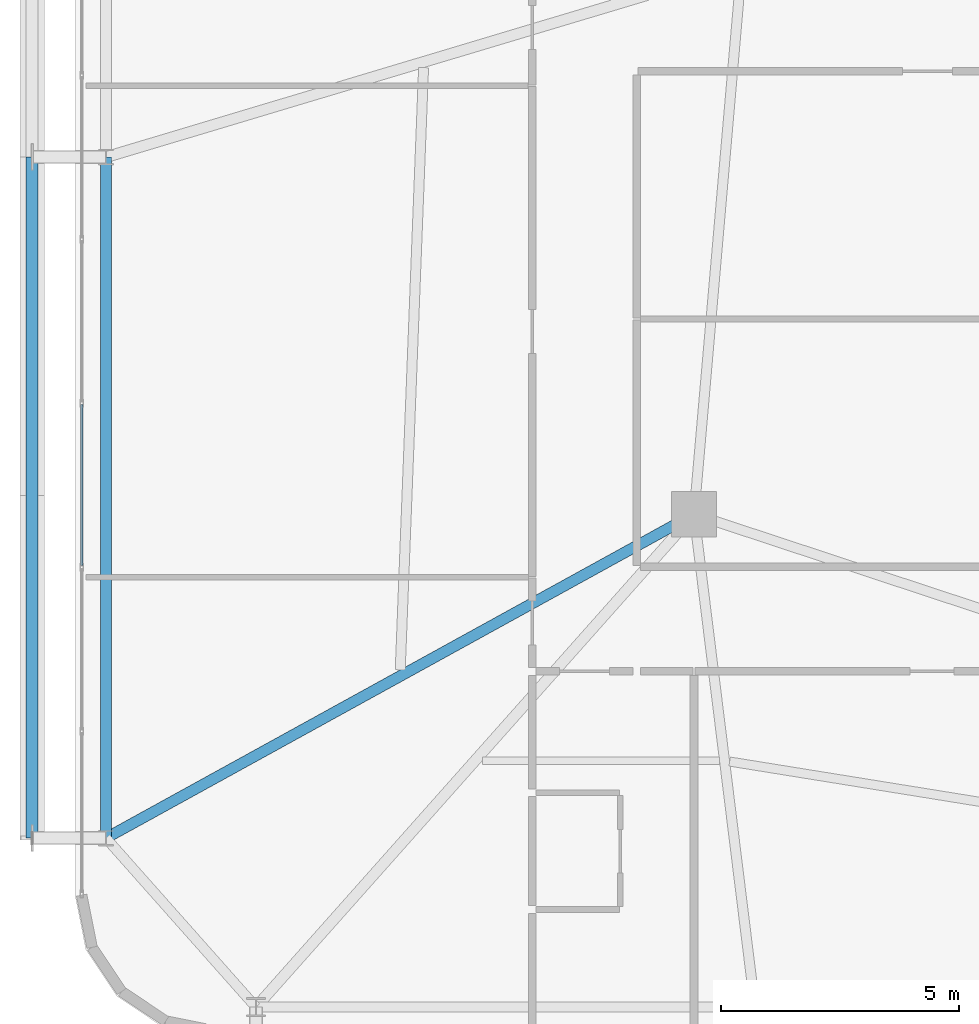
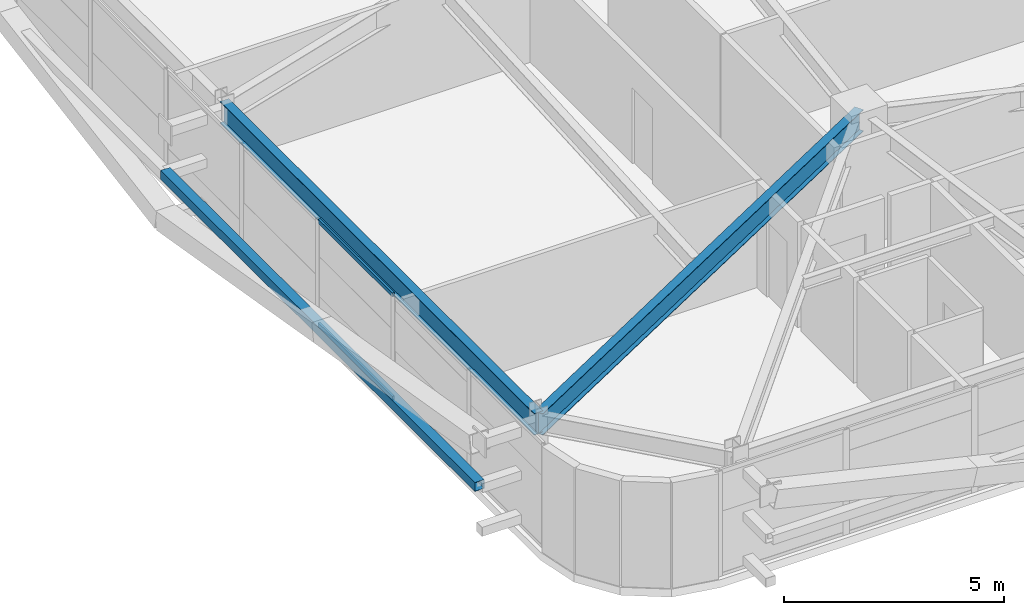
# One storey, part 9 of 59: 3 members, 2 beams, 1 element without a shape of its own.
"""IFC4 building model written with IfcOpenShell, lengths in metres."""

import ifcopenshell
import ifcopenshell.guid

model = None  # the IFC model being written
_history = None  # IfcOwnerHistory: only IFC2X3 demands one
_inside = {}  # id of a spatial element -> (the spatial element, [elements in it])
_under = {}  # id of a project, library or spatial element -> (it, [spatial elements below it])
_declared = {}  # id of a project -> (the project, [libraries it declares])
_typed = {}  # id of a type object -> (the type object, [elements of that type])
_made_of = {}  # id of a material, layer set ... -> (it, [elements and type objects made of it])


def new_model(schema):
    """Start an empty IFC model of exactly this schema.

    Asked for "IFC4X3", IfcOpenShell would pick the latest addendum, in which some entities
    have other attributes; the version numbers below select the first issue.
    IFC2X3 requires an IfcOwnerHistory on every rooted entity: one is made here for all.
    """
    global model, _history
    if schema == "IFC4X3":
        model = ifcopenshell.file(schema_version=(4, 3, 0, 0))
    else:
        model = ifcopenshell.file(schema=schema)
    _inside.clear()
    _under.clear()
    _declared.clear()
    _typed.clear()
    _made_of.clear()
    _history = None
    if model.schema == "IFC2X3":
        org = make("IfcOrganization", Name="unknown")
        user = make(
            "IfcPersonAndOrganization",
            ThePerson=make("IfcPerson", FamilyName="unknown"),
            TheOrganization=org,
        )
        app = make(
            "IfcApplication",
            ApplicationDeveloper=org,
            Version="unknown",
            ApplicationFullName="unknown",
            ApplicationIdentifier="unknown",
        )
        _history = make(
            "IfcOwnerHistory",
            OwningUser=user,
            OwningApplication=app,
            ChangeAction="ADDED",
            CreationDate=0,
        )
    return model


def make(cls, **values):
    """One entity of the class cls with the attributes given. An attribute that is None is left unset."""
    return model.create_entity(
        cls, **{name: value for name, value in values.items() if value is not None}
    )


def rooted(cls, **values):
    """An entity with a GlobalId (a new one), such as an element, a storey or a relation."""
    return make(cls, GlobalId=ifcopenshell.guid.new(), OwnerHistory=_history, **values)


def si_unit(unit_type, name, prefix=None):
    """IfcSIUnit, for example si_unit("LENGTHUNIT", "METRE", prefix="MILLI")."""
    return make("IfcSIUnit", UnitType=unit_type, Prefix=prefix, Name=name)


def assignment(units):
    """IfcUnitAssignment: the units of a project."""
    return None if units is None else make("IfcUnitAssignment", Units=units)


def point(xyz):
    """IfcCartesianPoint."""
    return None if xyz is None else make("IfcCartesianPoint", Coordinates=xyz)


def direction(xyz):
    """IfcDirection."""
    return None if xyz is None else make("IfcDirection", DirectionRatios=xyz)


def frame(location, z_axis=None, x_axis=None):
    """IfcAxis2Placement3D, a coordinate frame: its origin and axes. An axis left out is left unset."""
    return make(
        "IfcAxis2Placement3D",
        Location=point(location),
        Axis=direction(z_axis),
        RefDirection=direction(x_axis),
    )


def frame_2d(location, x_axis=None):
    """IfcAxis2Placement2D, a coordinate frame in the plane: its origin and x axis."""
    return make(
        "IfcAxis2Placement2D", Location=point(location), RefDirection=direction(x_axis)
    )


def origin():
    """The frame at (0, 0, 0) with its axes left unset."""
    return frame((0.0, 0.0, 0.0))


def origin_2d():
    """The frame at (0, 0) in the plane with its x axis left unset."""
    return frame_2d((0.0, 0.0))


def place(relative_to, where):
    """IfcLocalPlacement: puts the frame where relative to a parent placement (None: the world)."""
    return make(
        "IfcLocalPlacement", PlacementRelTo=relative_to, RelativePlacement=where
    )


def context(
    kind, dimensions, precision=None, world=None, true_north=None, identifier=None
):
    """IfcGeometricRepresentationContext, for example the 3D "Model" context."""
    return make(
        "IfcGeometricRepresentationContext",
        ContextIdentifier=identifier,
        ContextType=kind,
        CoordinateSpaceDimension=dimensions,
        Precision=precision,
        WorldCoordinateSystem=world,
        TrueNorth=true_north,
    )


def subcontext(parent, identifier, kind, view, scale=None):
    """IfcGeometricRepresentationSubContext, for example "Body" below "Model"."""
    return make(
        "IfcGeometricRepresentationSubContext",
        ContextIdentifier=identifier,
        ContextType=kind,
        ParentContext=parent,
        TargetScale=scale,
        TargetView=view,
    )


def project(units=None, contexts=None):
    """IfcProject with its units and contexts."""
    return rooted(
        "IfcProject",
        Name="project",
        RepresentationContexts=contexts,
        UnitsInContext=assignment(units),
    )


def spatial(cls, under=None, at=None, **own):
    """A site, building, storey or space (cls), placed at a placement, below another one or the project."""
    s = rooted(cls, ObjectPlacement=at, **own)
    if under is not None:
        _under.setdefault(under.id(), (under, []))[1].append(s)
    return s


def profile(cls, at=None, kind="AREA", **sizes):
    """A parametric profile (cls). Its sizes go by their IFC names, for example OverallWidth=200.0."""
    return make(cls, ProfileType=kind, Position=at, **sizes)


def hollow_rectangle(**sizes):
    """IfcRectangleHollowProfileDef."""
    return profile("IfcRectangleHollowProfileDef", **sizes)


def i_section(**sizes):
    """IfcIShapeProfileDef."""
    return profile("IfcIShapeProfileDef", **sizes)


def extrude(swept, where, along, depth):
    """IfcExtrudedAreaSolid: the profile swept, set in the frame where, extruded along a direction by depth."""
    return make(
        "IfcExtrudedAreaSolid",
        SweptArea=swept,
        Position=where,
        ExtrudedDirection=direction(along),
        Depth=depth,
    )


def shape(context_of_items, identifier, shape_type, items):
    """IfcShapeRepresentation: the items that make up one representation, for example the "Body"."""
    return make(
        "IfcShapeRepresentation",
        ContextOfItems=context_of_items,
        RepresentationIdentifier=identifier,
        RepresentationType=shape_type,
        Items=items,
    )


def source(mapping_origin, context_of_items, identifier, shape_type, items):
    """IfcRepresentationMap: a shape defined once, which mapped items show again and again."""
    return make(
        "IfcRepresentationMap",
        MappingOrigin=mapping_origin,
        MappedRepresentation=shape(context_of_items, identifier, shape_type, items),
    )


def transform(
    local_origin,
    x_axis=None,
    y_axis=None,
    z_axis=None,
    scale=None,
    scale2=None,
    scale3=None,
    uniform=True,
):
    """IfcCartesianTransformationOperator3D, or its non-uniform kind. x_axis, y_axis, z_axis: its Axis1, 2, 3."""
    if uniform:
        return make(
            "IfcCartesianTransformationOperator3D",
            Axis1=direction(x_axis),
            Axis2=direction(y_axis),
            LocalOrigin=point(local_origin),
            Scale=scale,
            Axis3=direction(z_axis),
        )
    return make(
        "IfcCartesianTransformationOperator3DnonUniform",
        Axis1=direction(x_axis),
        Axis2=direction(y_axis),
        LocalOrigin=point(local_origin),
        Scale=scale,
        Axis3=direction(z_axis),
        Scale2=scale2,
        Scale3=scale3,
    )


def mapped(mapping_source, mapping_target):
    """IfcMappedItem: shows the shape of a source again, moved by a transform."""
    return make(
        "IfcMappedItem", MappingSource=mapping_source, MappingTarget=mapping_target
    )


def material(Name=None, Category=None):
    """IfcMaterial."""
    return make("IfcMaterial", Name=Name, Category=Category)


def layer(
    of_material, thickness, ventilated=None, Name=None, Category=None, Priority=None
):
    """IfcMaterialLayer: one layer of a wall or slab, of a material (None: an air gap)."""
    return make(
        "IfcMaterialLayer",
        Material=of_material,
        LayerThickness=thickness,
        IsVentilated=ventilated,
        Name=Name,
        Category=Category,
        Priority=Priority,
    )


def layer_set(layers, Name=None):
    """IfcMaterialLayerSet."""
    return make("IfcMaterialLayerSet", MaterialLayers=layers, LayerSetName=Name)


def material_profile(
    of_material, cross_section, Name=None, Category=None, Priority=None
):
    """IfcMaterialProfile: a cross section and its material."""
    return make(
        "IfcMaterialProfile",
        Name=Name,
        Material=of_material,
        Profile=cross_section,
        Priority=Priority,
        Category=Category,
    )


def profile_set(profiles, Name=None, composite=None):
    """IfcMaterialProfileSet."""
    return make(
        "IfcMaterialProfileSet",
        Name=Name,
        MaterialProfiles=profiles,
        CompositeProfile=composite,
    )


def made_of(thing, what):
    """Note that an element or type object is made of a material, layer set ...; save() writes the relation."""
    if what is not None:
        _made_of.setdefault(what.id(), (what, []))[1].append(thing)
    return thing


def type_object(cls, material=None, **own):
    """A type object (cls), such as IfcWallType, which elements share."""
    return made_of(rooted(cls, **own), material)


def element(
    cls,
    number,
    at=None,
    inside=None,
    cuts=None,
    type_object=None,
    material=None,
    context=None,
    identifier="Body",
    shape_type=None,
    held_by="IfcProductDefinitionShape",
    body=None,
    shapes=None,
    **own,
):
    """One element of the class cls, such as IfcWall. Its Tag is "e" and its number.

    at: its placement. inside: the storey or other place that contains it. cuts: it is an
    opening in that element (IfcRelVoidsElement). A single representation is given by context,
    identifier, shape_type and body (its items); several are given by shapes. held_by: the class
    of the entity that holds the representations. save() writes the other relations.
    """
    e = rooted(cls, Tag="e%d" % number, ObjectPlacement=at, **own)
    if body is not None:
        shapes = [shape(context, identifier, shape_type, body)]
    if shapes is not None:
        e.Representation = make(held_by, Representations=shapes)
    if inside is not None:
        _inside.setdefault(inside.id(), (inside, []))[1].append(e)
    if cuts is not None:
        rooted(
            "IfcRelVoidsElement", RelatingBuildingElement=cuts, RelatedOpeningElement=e
        )
    if type_object is not None:
        _typed.setdefault(type_object.id(), (type_object, []))[1].append(e)
    return made_of(e, material)


def aggregate(whole, parts):
    """IfcRelAggregates: a whole, such as a stair, and the parts it consists of."""
    return rooted("IfcRelAggregates", RelatingObject=whole, RelatedObjects=parts)


def save(model, path):
    """Write the relations noted so far, then the file.

    IfcRelAggregates (storeys below a building ...), IfcRelContainedInSpatialStructure (elements
    in a storey), IfcRelDefinesByType, IfcRelAssociatesMaterial and IfcRelDeclares: one each for
    every whole, place, type object, material and project.
    """
    for whole, parts in _under.values():
        aggregate(whole, parts)
    for where, things in _inside.values():
        rooted(
            "IfcRelContainedInSpatialStructure",
            RelatedElements=things,
            RelatingStructure=where,
        )
    for kind, things in _typed.values():
        rooted("IfcRelDefinesByType", RelatedObjects=things, RelatingType=kind)
    for what, things in _made_of.values():
        rooted("IfcRelAssociatesMaterial", RelatedObjects=things, RelatingMaterial=what)
    for by, libraries in _declared.values():
        rooted("IfcRelDeclares", RelatingContext=by, RelatedDefinitions=libraries)
    model.write(path)


model = new_model("IFC4")

# Units and contexts
model_context = context("Model", 3, precision=1e-05, world=origin(), true_north=direction((0.0, 1.0)))
body_context = subcontext(model_context, "Body", "Model", "MODEL_VIEW")
ifc_project = project(units=[si_unit("LENGTHUNIT", "METRE"), si_unit("AREAUNIT", "SQUARE_METRE"), si_unit("VOLUMEUNIT", "CUBIC_METRE"), si_unit("PLANEANGLEUNIT", "RADIAN"), si_unit("MASSUNIT", "GRAM", prefix="KILO")], contexts=[model_context])

# Site, building, storey
site_placement = place(None, origin())
site = spatial("IfcSite", under=ifc_project, at=site_placement, CompositionType="ELEMENT")
building_placement = place(site_placement, origin())
building = spatial("IfcBuilding", under=site, at=building_placement, Name="Taldren Reach Tower", CompositionType="ELEMENT")
storey_placement = place(building_placement, frame((0.0, 0.0, 26.25)))
storey = spatial("IfcBuildingStorey", under=building, at=storey_placement, Name="L07", CompositionType="ELEMENT", Elevation=26.25)

# Beams
ifc_material_1 = material(Name="Steel Gr 350 (350PLUS)", Category="steel")
ifc_material_profile_1 = material_profile(ifc_material_1, i_section(OverallWidth=0.22802734375, OverallDepth=0.60205078125, WebThickness=0.010498046875, FlangeThickness=0.014892578125, at=origin_2d()), Name="610UB101")
ifc_profile_set_1 = profile_set([ifc_material_profile_1], Name="Steel Gr 350 (350PLUS)")
beam_type = type_object("IfcBeamType", Name="BM-UB610B", PredefinedType="BEAM", material=ifc_profile_set_1)
shared_shape_1 = source(origin(), body_context, "Body", "SweptSolid", [
    extrude(i_section(OverallWidth=0.22802734375, OverallDepth=0.60205078125, WebThickness=0.010498046875, FlangeThickness=0.014892578125, at=origin_2d()), origin(), (0.0, 0.0, 1.0), 14.300048828125),
])
beam_1_placement = place(storey_placement, frame((5.64990234375, 20.0, 2.62890625), z_axis=(0.0, -1.0, 0.0), x_axis=(1.0, 0.0, 0.0)))
element("IfcBeam", 1, at=beam_1_placement, inside=storey, type_object=beam_type, Name="Perimeter gable girder B1 W2-W1 L07", PredefinedType="BEAM", context=body_context, shape_type="MappedRepresentation", body=[
    mapped(shared_shape_1, transform((0.0, 0.0, 0.0), scale=1.0)),
])
shared_shape_2 = source(origin(), body_context, "Body", "SweptSolid", [
    extrude(i_section(OverallWidth=0.22802734375, OverallDepth=0.60205078125, WebThickness=0.010498046875, FlangeThickness=0.014892578125, at=origin_2d()), origin(), (0.0, 0.0, 1.0), 14.098388671875),
])
beam_2_placement = place(storey_placement, frame((18.0, 12.5, 2.62890625), z_axis=(-0.875991325783, -0.482326857175, 0.0), x_axis=(0.482326857175, -0.875991325783, 0.0)))
element("IfcBeam", 2, at=beam_2_placement, inside=storey, type_object=beam_type, Name="Primary floor girder B1-W1 L07", PredefinedType="BEAM", context=body_context, shape_type="MappedRepresentation", body=[
    mapped(shared_shape_2, transform((0.0, 0.0, 0.0), scale=1.0)),
])

# Member
ifc_material_2 = material(Name="Steel Gr 350 (C350L0)", Category="steel")
ifc_material_profile_2 = material_profile(ifc_material_2, hollow_rectangle(XDim=0.25, YDim=0.25, WallThickness=0.010009765625, at=origin_2d()), Name="250x250x10.0SHS")
ifc_profile_set_2 = profile_set([ifc_material_profile_2], Name="Steel Gr 350 (C350L0)")
member_type_1 = type_object("IfcMemberType", Name="MB-POST250", PredefinedType="POST", material=ifc_profile_set_2)
shared_shape_3 = source(origin(), body_context, "Body", "SweptSolid", [
    extrude(hollow_rectangle(XDim=0.25, YDim=0.25, WallThickness=0.010009765625, at=origin_2d()), origin(), (0.0, 0.0, 1.0), 14.300048828125),
])
member_1_placement = place(storey_placement, frame((4.10009765625, 5.699951171875, 1.43505859375), z_axis=(0.0, 1.0, 0.0), x_axis=(-1.0, 0.0, 0.0)))
element("IfcMember", 3, at=member_1_placement, inside=storey, type_object=member_type_1, Name="Exoskeleton mid-height ring chord B1-W1 L07", PredefinedType="POST", context=body_context, shape_type="MappedRepresentation", body=[
    mapped(shared_shape_3, transform((0.0, 0.0, 0.0), scale=1.0)),
])

# Curtain wall, members
ifc_material_3 = material(Name="Aluminium and Low-E Glass Unitised System", Category="aluminium")
ifc_layer = layer(ifc_material_3, 0.159912109375)
ifc_layer_set = layer_set([ifc_layer], Name="Aluminium and Low-E Glass Unitised System")
curtain_wall_type = type_object("IfcCurtainWallType", Name="CW-SYS-2", PredefinedType="NOTDEFINED", material=ifc_layer_set)
curtain_wall_placement = place(storey_placement, origin())
curtain_wall = element("IfcCurtainWall", 4, at=curtain_wall_placement, inside=storey, type_object=curtain_wall_type, Name="Unitised curtain wall CW-L07-W", PredefinedType="NOTDEFINED")
ifc_material_4 = material(Name="Anodised Aluminium 6063-T6", Category="aluminium")
ifc_material_profile_3 = material_profile(ifc_material_4, hollow_rectangle(XDim=0.054931640625, YDim=0.1201171875, WallThickness=0.0029296875, at=origin_2d()), Name="ALU-120x55x3RHS")
ifc_profile_set_3 = profile_set([ifc_material_profile_3], Name="Anodised Aluminium 6063-T6")
member_type_2 = type_object("IfcMemberType", Name="CW-TRN-135", PredefinedType="USERDEFINED", material=ifc_profile_set_3)
shared_shape_4 = source(origin(), body_context, "Body", "SweptSolid", [
    extrude(hollow_rectangle(XDim=0.054931640625, YDim=0.1201171875, WallThickness=0.0029296875, at=origin_2d()), origin(), (0.0, 0.0, 1.0), 3.37939453125),
])
member_2_placement = place(storey_placement, frame((5.139892578125, 14.80078125, 0.027587890625), z_axis=(0.0, -1.0, 0.0), x_axis=(1.0, 0.0, 0.0)))
member_2 = element("IfcMember", 5, at=member_2_placement, type_object=member_type_2, Name="CW-2 transom 7.1", ObjectType="TRANSOM", PredefinedType="USERDEFINED", context=body_context, shape_type="MappedRepresentation", body=[
    mapped(shared_shape_4, transform((0.0, 0.0, 0.0), scale=1.0)),
])
member_3_placement = place(storey_placement, frame((5.139892578125, 14.80078125, 2.902587890625), z_axis=(0.0, -1.0, 0.0), x_axis=(1.0, 0.0, 0.0)))
member_3 = element("IfcMember", 6, at=member_3_placement, type_object=member_type_2, Name="CW-2 transom 7.2", ObjectType="TRANSOM", PredefinedType="USERDEFINED", context=body_context, shape_type="MappedRepresentation", body=[
    mapped(shared_shape_4, transform((0.0, 0.0, 0.0), scale=1.0)),
])
aggregate(curtain_wall, [member_2, member_3])

save(model, "model.ifc")
